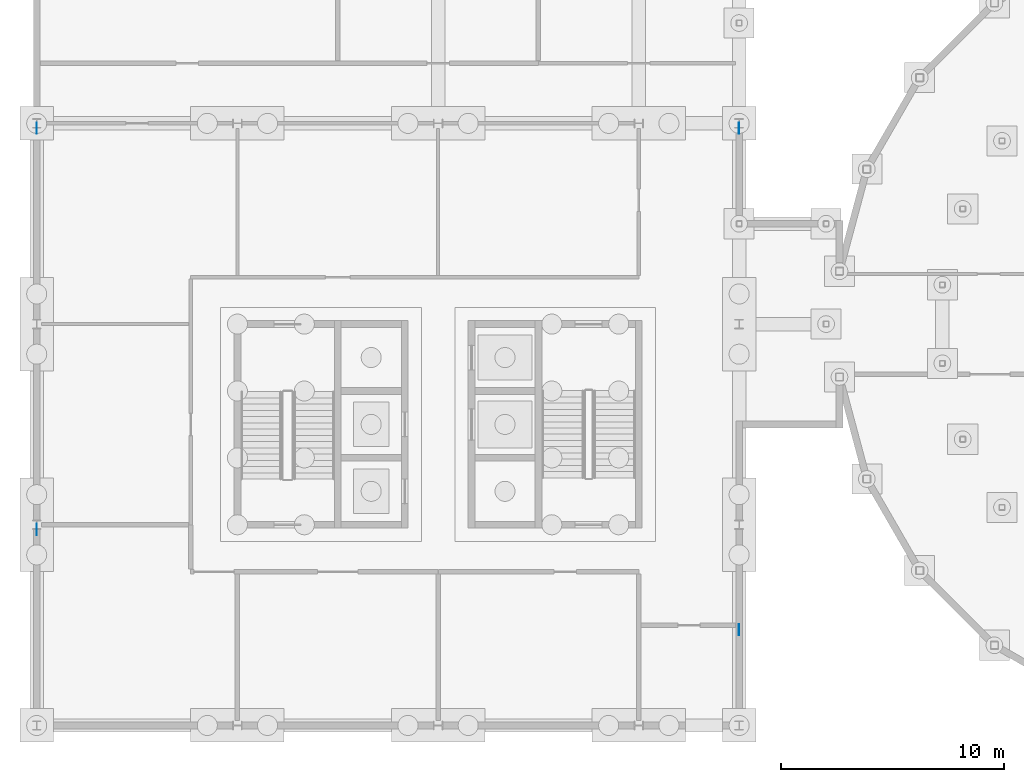
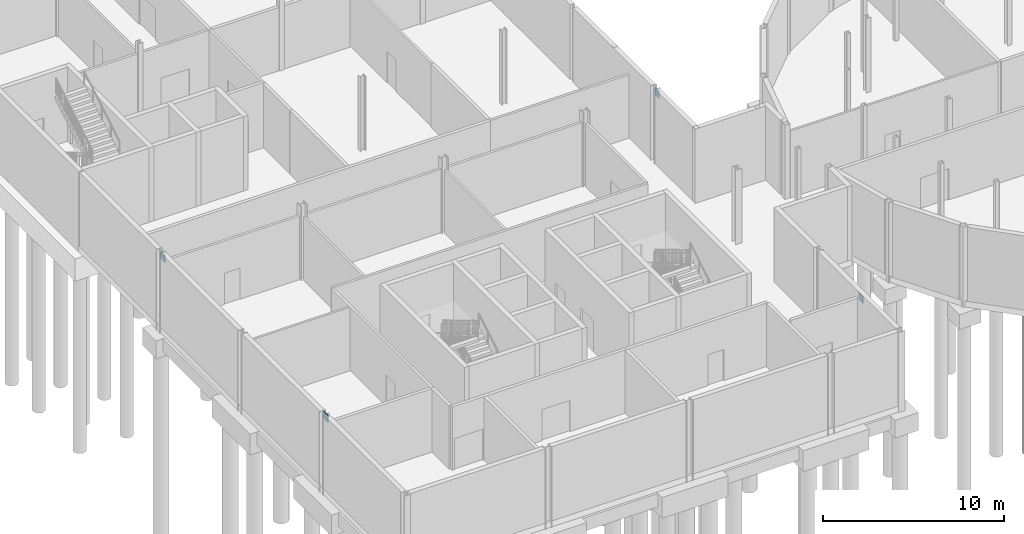
# One storey, part 19 of 25: 4 discrete accessories.
"""IFC4 building model written with IfcOpenShell, lengths in metres."""

import ifcopenshell
import ifcopenshell.guid

model = None  # the IFC model being written
_history = None  # IfcOwnerHistory: only IFC2X3 demands one
_inside = {}  # id of a spatial element -> (the spatial element, [elements in it])
_under = {}  # id of a project, library or spatial element -> (it, [spatial elements below it])
_declared = {}  # id of a project -> (the project, [libraries it declares])
_typed = {}  # id of a type object -> (the type object, [elements of that type])
_made_of = {}  # id of a material, layer set ... -> (it, [elements and type objects made of it])


def new_model(schema):
    """Start an empty IFC model of exactly this schema.

    Asked for "IFC4X3", IfcOpenShell would pick the latest addendum, in which some entities
    have other attributes; the version numbers below select the first issue.
    IFC2X3 requires an IfcOwnerHistory on every rooted entity: one is made here for all.
    """
    global model, _history
    if schema == "IFC4X3":
        model = ifcopenshell.file(schema_version=(4, 3, 0, 0))
    else:
        model = ifcopenshell.file(schema=schema)
    _inside.clear()
    _under.clear()
    _declared.clear()
    _typed.clear()
    _made_of.clear()
    _history = None
    if model.schema == "IFC2X3":
        org = make("IfcOrganization", Name="unknown")
        user = make(
            "IfcPersonAndOrganization",
            ThePerson=make("IfcPerson", FamilyName="unknown"),
            TheOrganization=org,
        )
        app = make(
            "IfcApplication",
            ApplicationDeveloper=org,
            Version="unknown",
            ApplicationFullName="unknown",
            ApplicationIdentifier="unknown",
        )
        _history = make(
            "IfcOwnerHistory",
            OwningUser=user,
            OwningApplication=app,
            ChangeAction="ADDED",
            CreationDate=0,
        )
    return model


def make(cls, **values):
    """One entity of the class cls with the attributes given. An attribute that is None is left unset."""
    return model.create_entity(
        cls, **{name: value for name, value in values.items() if value is not None}
    )


def rooted(cls, **values):
    """An entity with a GlobalId (a new one), such as an element, a storey or a relation."""
    return make(cls, GlobalId=ifcopenshell.guid.new(), OwnerHistory=_history, **values)


def si_unit(unit_type, name, prefix=None):
    """IfcSIUnit, for example si_unit("LENGTHUNIT", "METRE", prefix="MILLI")."""
    return make("IfcSIUnit", UnitType=unit_type, Prefix=prefix, Name=name)


def assignment(units):
    """IfcUnitAssignment: the units of a project."""
    return None if units is None else make("IfcUnitAssignment", Units=units)


def point(xyz):
    """IfcCartesianPoint."""
    return None if xyz is None else make("IfcCartesianPoint", Coordinates=xyz)


def direction(xyz):
    """IfcDirection."""
    return None if xyz is None else make("IfcDirection", DirectionRatios=xyz)


def frame(location, z_axis=None, x_axis=None):
    """IfcAxis2Placement3D, a coordinate frame: its origin and axes. An axis left out is left unset."""
    return make(
        "IfcAxis2Placement3D",
        Location=point(location),
        Axis=direction(z_axis),
        RefDirection=direction(x_axis),
    )


def frame_2d(location, x_axis=None):
    """IfcAxis2Placement2D, a coordinate frame in the plane: its origin and x axis."""
    return make(
        "IfcAxis2Placement2D", Location=point(location), RefDirection=direction(x_axis)
    )


def origin():
    """The frame at (0, 0, 0) with its axes left unset."""
    return frame((0.0, 0.0, 0.0))


def origin_2d():
    """The frame at (0, 0) in the plane with its x axis left unset."""
    return frame_2d((0.0, 0.0))


def place(relative_to, where):
    """IfcLocalPlacement: puts the frame where relative to a parent placement (None: the world)."""
    return make(
        "IfcLocalPlacement", PlacementRelTo=relative_to, RelativePlacement=where
    )


def context(
    kind, dimensions, precision=None, world=None, true_north=None, identifier=None
):
    """IfcGeometricRepresentationContext, for example the 3D "Model" context."""
    return make(
        "IfcGeometricRepresentationContext",
        ContextIdentifier=identifier,
        ContextType=kind,
        CoordinateSpaceDimension=dimensions,
        Precision=precision,
        WorldCoordinateSystem=world,
        TrueNorth=true_north,
    )


def subcontext(parent, identifier, kind, view, scale=None):
    """IfcGeometricRepresentationSubContext, for example "Body" below "Model"."""
    return make(
        "IfcGeometricRepresentationSubContext",
        ContextIdentifier=identifier,
        ContextType=kind,
        ParentContext=parent,
        TargetScale=scale,
        TargetView=view,
    )


def project(units=None, contexts=None):
    """IfcProject with its units and contexts."""
    return rooted(
        "IfcProject",
        Name="project",
        RepresentationContexts=contexts,
        UnitsInContext=assignment(units),
    )


def spatial(cls, under=None, at=None, **own):
    """A site, building, storey or space (cls), placed at a placement, below another one or the project."""
    s = rooted(cls, ObjectPlacement=at, **own)
    if under is not None:
        _under.setdefault(under.id(), (under, []))[1].append(s)
    return s


def profile(cls, at=None, kind="AREA", **sizes):
    """A parametric profile (cls). Its sizes go by their IFC names, for example OverallWidth=200.0."""
    return make(cls, ProfileType=kind, Position=at, **sizes)


def rectangle(**sizes):
    """IfcRectangleProfileDef."""
    return profile("IfcRectangleProfileDef", **sizes)


def extrude(swept, where, along, depth):
    """IfcExtrudedAreaSolid: the profile swept, set in the frame where, extruded along a direction by depth."""
    return make(
        "IfcExtrudedAreaSolid",
        SweptArea=swept,
        Position=where,
        ExtrudedDirection=direction(along),
        Depth=depth,
    )


def shape(context_of_items, identifier, shape_type, items):
    """IfcShapeRepresentation: the items that make up one representation, for example the "Body"."""
    return make(
        "IfcShapeRepresentation",
        ContextOfItems=context_of_items,
        RepresentationIdentifier=identifier,
        RepresentationType=shape_type,
        Items=items,
    )


def material(Name=None, Category=None):
    """IfcMaterial."""
    return make("IfcMaterial", Name=Name, Category=Category)


def made_of(thing, what):
    """Note that an element or type object is made of a material, layer set ...; save() writes the relation."""
    if what is not None:
        _made_of.setdefault(what.id(), (what, []))[1].append(thing)
    return thing


def type_object(cls, material=None, **own):
    """A type object (cls), such as IfcWallType, which elements share."""
    return made_of(rooted(cls, **own), material)


def element(
    cls,
    number,
    at=None,
    inside=None,
    cuts=None,
    type_object=None,
    material=None,
    context=None,
    identifier="Body",
    shape_type=None,
    held_by="IfcProductDefinitionShape",
    body=None,
    shapes=None,
    **own,
):
    """One element of the class cls, such as IfcWall. Its Tag is "e" and its number.

    at: its placement. inside: the storey or other place that contains it. cuts: it is an
    opening in that element (IfcRelVoidsElement). A single representation is given by context,
    identifier, shape_type and body (its items); several are given by shapes. held_by: the class
    of the entity that holds the representations. save() writes the other relations.
    """
    e = rooted(cls, Tag="e%d" % number, ObjectPlacement=at, **own)
    if body is not None:
        shapes = [shape(context, identifier, shape_type, body)]
    if shapes is not None:
        e.Representation = make(held_by, Representations=shapes)
    if inside is not None:
        _inside.setdefault(inside.id(), (inside, []))[1].append(e)
    if cuts is not None:
        rooted(
            "IfcRelVoidsElement", RelatingBuildingElement=cuts, RelatedOpeningElement=e
        )
    if type_object is not None:
        _typed.setdefault(type_object.id(), (type_object, []))[1].append(e)
    return made_of(e, material)


def aggregate(whole, parts):
    """IfcRelAggregates: a whole, such as a stair, and the parts it consists of."""
    return rooted("IfcRelAggregates", RelatingObject=whole, RelatedObjects=parts)


def save(model, path):
    """Write the relations noted so far, then the file.

    IfcRelAggregates (storeys below a building ...), IfcRelContainedInSpatialStructure (elements
    in a storey), IfcRelDefinesByType, IfcRelAssociatesMaterial and IfcRelDeclares: one each for
    every whole, place, type object, material and project.
    """
    for whole, parts in _under.values():
        aggregate(whole, parts)
    for where, things in _inside.values():
        rooted(
            "IfcRelContainedInSpatialStructure",
            RelatedElements=things,
            RelatingStructure=where,
        )
    for kind, things in _typed.values():
        rooted("IfcRelDefinesByType", RelatedObjects=things, RelatingType=kind)
    for what, things in _made_of.values():
        rooted("IfcRelAssociatesMaterial", RelatedObjects=things, RelatingMaterial=what)
    for by, libraries in _declared.values():
        rooted("IfcRelDeclares", RelatingContext=by, RelatedDefinitions=libraries)
    model.write(path)


model = new_model("IFC4")

# Units and contexts
model_context = context("Model", 3, precision=1e-05, world=origin(), true_north=direction((0.0, 1.0)))
body_context = subcontext(model_context, "Body", "Model", "MODEL_VIEW")
ifc_project = project(units=[si_unit("LENGTHUNIT", "METRE"), si_unit("AREAUNIT", "SQUARE_METRE"), si_unit("VOLUMEUNIT", "CUBIC_METRE"), si_unit("PLANEANGLEUNIT", "RADIAN"), si_unit("MASSUNIT", "GRAM", prefix="KILO")], contexts=[model_context])

# Site, building, storey
site_placement = place(None, origin())
site = spatial("IfcSite", under=ifc_project, at=site_placement, CompositionType="ELEMENT")
building_placement = place(site_placement, origin())
building = spatial("IfcBuilding", under=site, at=building_placement, Name="Hortulan Conservatory and Botanical Research Centre", CompositionType="ELEMENT")
storey_placement = place(building_placement, frame((0.0, 0.0, -5.0)))
storey = spatial("IfcBuildingStorey", under=building, at=storey_placement, Name="B1", CompositionType="ELEMENT", Elevation=-5.0)

# Discrete accessories
ifc_material = material(Name="Steel Grade 300 plate (AS/NZS 3678, 280 MPa minimum yield)", Category="steel")
discrete_accessory_type = type_object("IfcDiscreteAccessoryType", Name="End Plate 500x20", PredefinedType="BRACKET", material=ifc_material)
for number, where, z_axis, x_axis, name in (
    (1, (0.0, 8.7890625, 4.580078125), (0.0, 0.0, 1.0), (0.0, -1.0, 0.0), "Brace end plate"),
    (2, (0.0, 26.7890625, 4.440185546875), (0.0, 0.0, 1.0), (0.0, -1.0, 0.0), "Brace end plate"),
    (3, (31.5, 4.300048828125, 4.300048828125), (0.0, 0.0, 1.0), (0.0, -1.0, 0.0), "Brace end plate"),
    (4, (31.5, 26.7890625, 4.440185546875), (0.0, 0.0, 1.0), (0.0, -1.0, 0.0), "Brace end plate"),
):
    element("IfcDiscreteAccessory", number, at=place(storey_placement, frame(where, z_axis=z_axis, x_axis=x_axis)), inside=storey, type_object=discrete_accessory_type, Name=name, PredefinedType="BRACKET", context=body_context, shape_type="SweptSolid", body=[
        extrude(rectangle(XDim=0.5, YDim=0.02001953125, at=origin_2d()), origin(), (0.0, 0.0, 1.0), 0.5),
    ])

save(model, "model.ifc")
